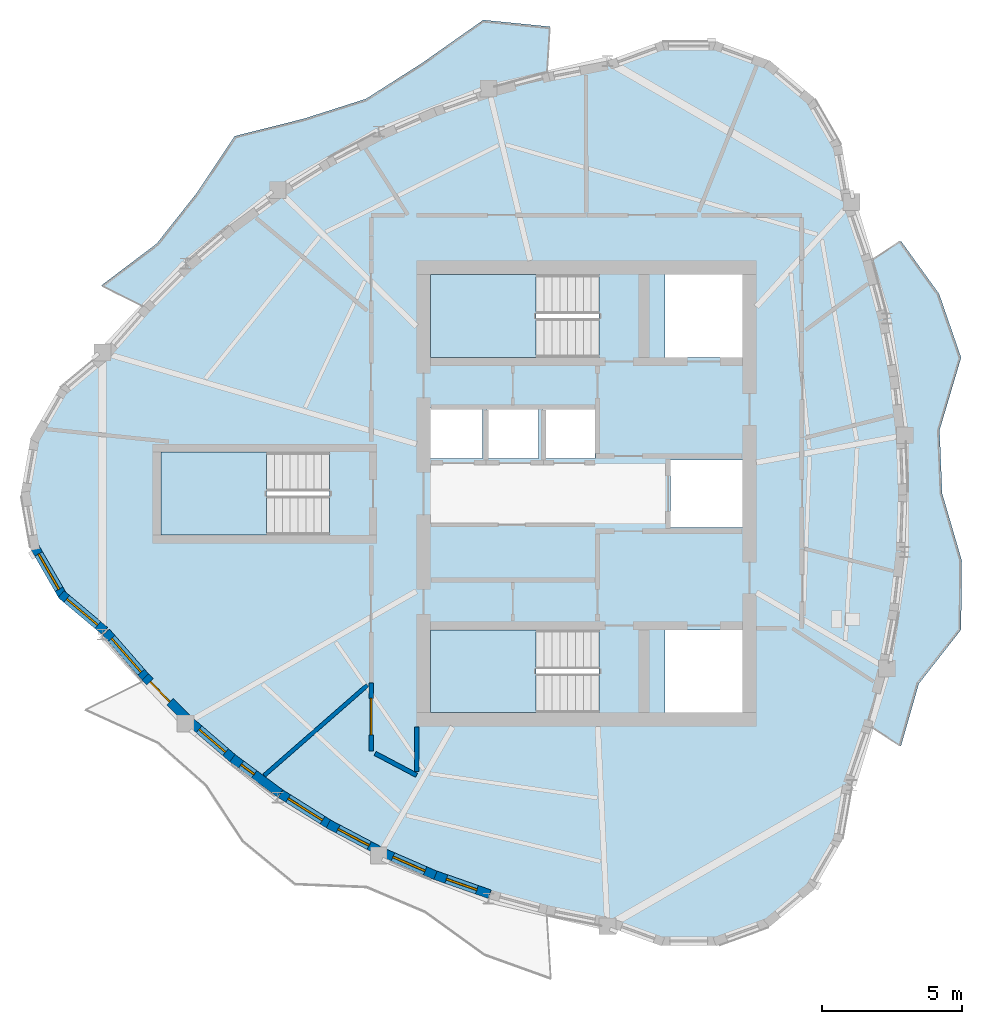
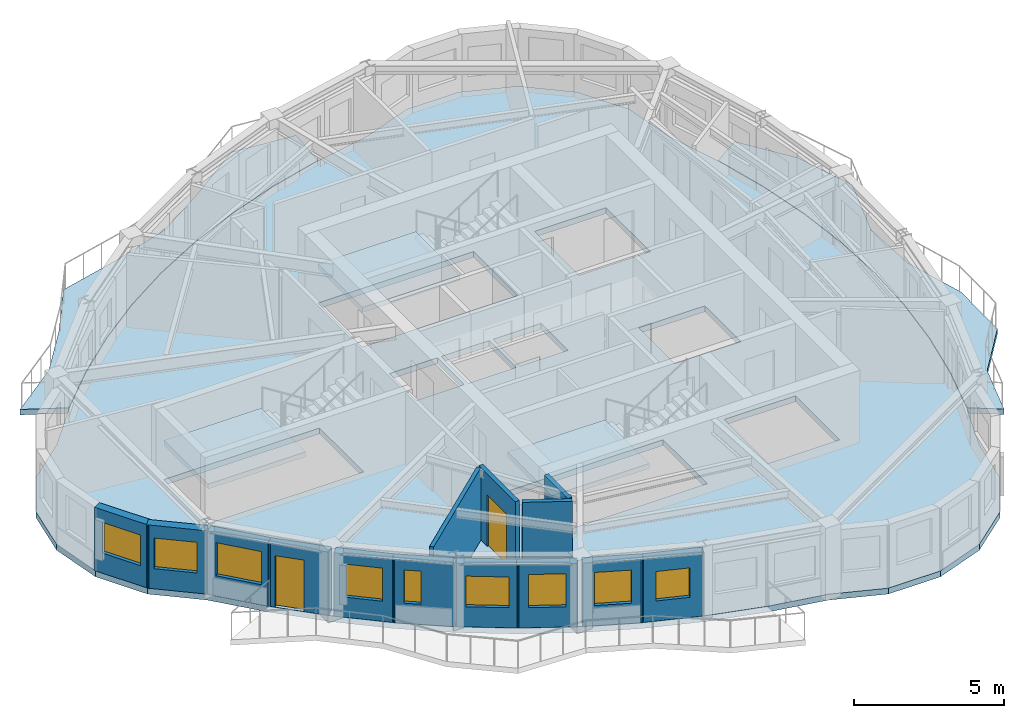
# One storey, part 2 of 11: 14 walls, 9 windows, 6 slabs, 2 doors, 11 openings, 3 elements without a shape of their own.
"""IFC4 building model written with IfcOpenShell, lengths in metres."""

from ifc_helpers import new_model, si_unit, direction, frame, frame_2d, origin, place, context, subcontext, project, spatial, polyline, rectangle, outline, extrude, source, transform, mapped, material, layer, layer_set, type_object, element, fill, aggregate, save


model = new_model("IFC4")

# Units and contexts
model_context = context("Model", 3, precision=1e-05, world=origin(), true_north=direction((0.0, 1.0)))
body_context = subcontext(model_context, "Body", "Model", "MODEL_VIEW")
ifc_project = project(units=[si_unit("LENGTHUNIT", "METRE"), si_unit("AREAUNIT", "SQUARE_METRE"), si_unit("VOLUMEUNIT", "CUBIC_METRE"), si_unit("PLANEANGLEUNIT", "RADIAN"), si_unit("MASSUNIT", "GRAM", prefix="KILO")], contexts=[model_context])

# Site, building, storey
site_placement = place(None, origin())
site = spatial("IfcSite", under=ifc_project, at=site_placement, CompositionType="ELEMENT")
building_placement = place(site_placement, origin())
building = spatial("IfcBuilding", under=site, at=building_placement, Name="Qafzar Sky-Pleat Residences", CompositionType="ELEMENT")
storey_placement = place(building_placement, frame((0.0, 0.0, 240.39990234375)))
storey = spatial("IfcBuildingStorey", under=building, at=storey_placement, Name="L72", CompositionType="ELEMENT", Elevation=240.39990234375)

# Slabs
ifc_material_1 = material(Name="Concrete C40/50", Category="concrete")
ifc_layer_1 = layer(ifc_material_1, 0.219970703125)
ifc_layer_set_1 = layer_set([ifc_layer_1], Name="Concrete C40/50")
slab_type_1 = type_object("IfcSlabType", Name="SLAB-BAL-220", PredefinedType="USERDEFINED", material=ifc_layer_set_1)
slab_1_placement = place(storey_placement, frame((0.0, 0.0, -0.219970703125)))
element("IfcSlab", 1, at=slab_1_placement, inside=storey, type_object=slab_type_1, Name="L72 Pleated Stone Balcony 1", ObjectType="BALCONY", PredefinedType="USERDEFINED", context=body_context, shape_type="SweptSolid", body=[
    extrude(outline(polyline([(41.068603515625, 19.7646484375), (41.463623046875, 21.843017578125), (41.700927734375, 23.92138671875), (41.77978515625, 26.0), (41.700927734375, 28.07861328125), (41.463623046875, 30.156982421875), (41.068603515625, 32.2353515625), (40.51513671875, 34.3134765625), (41.54638671875, 34.99853515625), (42.907958984375, 33.113037109375), (43.690673828125, 30.8447265625), (42.9248046875, 28.26416015625), (43.017822265625, 26.0), (43.7158203125, 23.61572265625), (43.690673828125, 21.1552734375), (42.185791015625, 19.2314453125), (41.54638671875, 17.00146484375), (40.51513671875, 17.6865234375), (41.068603515625, 19.7646484375)])), origin(), (0.0, 0.0, 1.0), 0.219970703125),
])
slab_2_placement = place(storey_placement, frame((0.0, 0.0, -0.219970703125)))
element("IfcSlab", 2, at=slab_2_placement, inside=storey, type_object=slab_type_1, Name="L72 Pleated Stone Balcony 2", ObjectType="BALCONY", PredefinedType="USERDEFINED", context=body_context, shape_type="SweptSolid", body=[
    extrude(outline(polyline([(26.86572265625, 40.435302734375), (24.8681640625, 39.73828125), (22.94970703125, 38.904541015625), (21.110107421875, 37.93359375), (19.349609375, 36.825927734375), (17.668212890625, 35.581298828125), (16.06591796875, 34.199951171875), (14.542724609375, 32.681640625), (13.075439453125, 33.41015625), (15.04541015625, 34.901123046875), (16.467041015625, 36.6953125), (17.82763671875, 38.730712890625), (20.291015625, 39.352294921875), (22.498291015625, 40.057373046875), (24.504150390625, 41.33544921875), (26.6748046875, 42.865966796875), (29.044921875, 42.630126953125), (28.942138671875, 40.995361328125), (26.86572265625, 40.435302734375)])), origin(), (0.0, 0.0, 1.0), 0.219970703125),
])
ifc_layer_2 = layer(ifc_material_1, 0.239990234375)
ifc_layer_set_2 = layer_set([ifc_layer_2], Name="Concrete C40/50")
slab_type_2 = type_object("IfcSlabType", Name="SLAB-FLR-240", PredefinedType="FLOOR", material=ifc_layer_set_2)
slab_3_placement = place(storey_placement, frame((0.0, 0.0, -0.239990234375)))
element("IfcSlab", 3, at=slab_3_placement, inside=storey, type_object=slab_type_2, Name="L72 Structural Floor Slab", PredefinedType="FLOOR", context=body_context, shape_type="SweptSolid", body=[
    extrude(outline(polyline([(13.110107421875, 31.02294921875), (11.56689453125, 29.728271484375), (10.559814453125, 27.983642578125), (10.2099609375, 26.0), (10.559814453125, 24.016357421875), (11.56689453125, 22.271728515625), (13.110107421875, 20.97705078125), (14.553466796875, 19.323486328125), (16.07568359375, 17.806884765625), (17.677001953125, 16.4267578125), (19.35693359375, 15.183349609375), (21.1162109375, 14.07666015625), (22.9541015625, 13.106689453125), (24.870849609375, 12.273193359375), (26.86669921875, 11.57666015625), (28.94140625, 11.0166015625), (31.094970703125, 10.593505859375), (32.98779296875, 9.904541015625), (35.002197265625, 9.904541015625), (36.89501953125, 10.593505859375), (38.43798828125, 11.88818359375), (39.4453125, 13.632568359375), (39.794921875, 15.616455078125), (40.505126953125, 17.693115234375), (41.0576171875, 19.769775390625), (41.4521484375, 21.846435546875), (41.68896484375, 23.92333984375), (41.767822265625, 26.0), (41.68896484375, 28.07666015625), (41.4521484375, 30.153564453125), (41.0576171875, 32.230224609375), (40.505126953125, 34.306884765625), (39.794921875, 36.383544921875), (39.4453125, 38.367431640625), (38.43798828125, 40.11181640625), (36.89501953125, 41.406494140625), (35.002197265625, 42.095458984375), (32.98779296875, 42.095458984375), (31.094970703125, 41.406494140625), (28.94140625, 40.9833984375), (26.86669921875, 40.42333984375), (24.870849609375, 39.726806640625), (22.9541015625, 38.893310546875), (21.1162109375, 37.92333984375), (19.35693359375, 36.816650390625), (17.677001953125, 35.5732421875), (16.07568359375, 34.193115234375), (14.553466796875, 32.676513671875), (13.110107421875, 31.02294921875)]), holes=[polyline([(30.797119140625, 21.14990234375), (24.800048828125, 21.14990234375), (24.800048828125, 18.199951171875), (30.797119140625, 18.199951171875), (30.797119140625, 21.14990234375)]), polyline([(30.797119140625, 33.800048828125), (24.800048828125, 33.800048828125), (24.800048828125, 30.85009765625), (30.797119140625, 30.85009765625), (30.797119140625, 33.800048828125)]), polyline([(21.197021484375, 27.47509765625), (15.199951171875, 27.47509765625), (15.199951171875, 24.52490234375), (21.197021484375, 24.52490234375), (21.197021484375, 27.47509765625)]), polyline([(24.800048828125, 27.25), (26.64990234375, 27.25), (26.64990234375, 29.050048828125), (24.800048828125, 29.050048828125), (24.800048828125, 27.25)]), polyline([(26.800048828125, 27.25), (28.64990234375, 27.25), (28.64990234375, 29.050048828125), (26.800048828125, 29.050048828125), (26.800048828125, 27.25)]), polyline([(28.800048828125, 27.25), (30.64990234375, 27.25), (30.64990234375, 29.050048828125), (28.800048828125, 29.050048828125), (28.800048828125, 27.25)]), polyline([(33.14990234375, 18.199951171875), (35.89990234375, 18.199951171875), (35.89990234375, 21.14990234375), (33.14990234375, 21.14990234375), (33.14990234375, 18.199951171875)]), polyline([(33.14990234375, 30.85009765625), (35.89990234375, 30.85009765625), (35.89990234375, 33.800048828125), (33.14990234375, 33.800048828125), (33.14990234375, 30.85009765625)]), polyline([(33.35009765625, 24.800048828125), (35.89990234375, 24.800048828125), (35.89990234375, 27.199951171875), (33.35009765625, 27.199951171875), (33.35009765625, 24.800048828125)])]), origin(), (0.0, 0.0, 1.0), 0.239990234375),
])

# Stair, slab
stair_type = type_object("IfcStairType", Name="STAIR-H320", PredefinedType="HALF_TURN_STAIR", material=ifc_material_1)
stair_1_placement = place(storey_placement, origin())
stair_1 = element("IfcStair", 4, at=stair_1_placement, inside=storey, type_object=stair_type, Name="L72 Protected Exit Stair ST1", PredefinedType="HALF_TURN_STAIR")
ifc_layer_3 = layer(ifc_material_1, 0.199951171875)
ifc_layer_set_3 = layer_set([ifc_layer_3], Name="Concrete C40/50")
slab_type_3 = type_object("IfcSlabType", Name="SLAB-LANDING-200", PredefinedType="LANDING", material=ifc_layer_set_3)
slab_4_placement = place(storey_placement, frame((0.0, 0.0, 1.400146484375)))
slab_4 = element("IfcSlab", 5, at=slab_4_placement, type_object=slab_type_3, Name="ST1 landing 1", PredefinedType="LANDING", context=body_context, shape_type="SweptSolid", body=[
    extrude(outline(polyline([(28.56005859375, 21.14990234375), (24.800048828125, 21.14990234375), (24.800048828125, 18.199951171875), (28.56005859375, 18.199951171875), (28.56005859375, 21.14990234375)])), origin(), (0.0, 0.0, 1.0), 0.199951171875),
])
aggregate(stair_1, [slab_4])

stair_2_placement = place(storey_placement, origin())
stair_2 = element("IfcStair", 6, at=stair_2_placement, inside=storey, type_object=stair_type, Name="L72 Protected Exit Stair ST2", PredefinedType="HALF_TURN_STAIR")
slab_5_placement = place(storey_placement, frame((0.0, 0.0, 1.400146484375)))
slab_5 = element("IfcSlab", 7, at=slab_5_placement, type_object=slab_type_3, Name="ST2 landing 1", PredefinedType="LANDING", context=body_context, shape_type="SweptSolid", body=[
    extrude(outline(polyline([(28.56005859375, 33.800048828125), (24.800048828125, 33.800048828125), (24.800048828125, 30.85009765625), (28.56005859375, 30.85009765625), (28.56005859375, 33.800048828125)])), origin(), (0.0, 0.0, 1.0), 0.199951171875),
])
aggregate(stair_2, [slab_5])

stair_3_placement = place(storey_placement, origin())
stair_3 = element("IfcStair", 8, at=stair_3_placement, inside=storey, type_object=stair_type, Name="L72 Protected Exit Stair ST3", PredefinedType="HALF_TURN_STAIR")
slab_6_placement = place(storey_placement, frame((0.0, 0.0, 1.400146484375)))
slab_6 = element("IfcSlab", 9, at=slab_6_placement, type_object=slab_type_3, Name="ST3 landing 1", PredefinedType="LANDING", context=body_context, shape_type="SweptSolid", body=[
    extrude(outline(polyline([(18.9599609375, 27.47509765625), (15.199951171875, 27.47509765625), (15.199951171875, 24.52490234375), (18.9599609375, 24.52490234375), (18.9599609375, 27.47509765625)])), origin(), (0.0, 0.0, 1.0), 0.199951171875),
])
aggregate(stair_3, [slab_6])

# Wall, opening, door
ifc_material_2 = material(Name="Acoustic gypsum plasterboard partition", Category="gypsum")
ifc_layer_4 = layer(ifc_material_2, 0.159912109375)
ifc_layer_set_4 = layer_set([ifc_layer_4], Name="Acoustic gypsum plasterboard partition")
wall_type_1 = type_object("IfcWallType", Name="PART-COR-160", PredefinedType="PARTITIONING", material=ifc_layer_set_4)
wall_1_placement = place(storey_placement, frame((22.679931640625, 19.256103515625, 0.0), z_axis=(0.0, 0.0, 1.0), x_axis=(0.0, -1.0, 0.0)))
wall_1 = element("IfcWall", 10, at=wall_1_placement, inside=storey, type_object=wall_type_1, Name="L72 Partition Wall PART-L72-PW-009", PredefinedType="PARTITIONING", context=body_context, shape_type="SweptSolid", body=[
    extrude(rectangle(XDim=2.43017578125, YDim=0.159912109375, at=frame_2d((1.215087890625, 0.0))), origin(), (0.0, 0.0, 1.0), 2.960205078125),
])
opening_1_placement = place(wall_1_placement, frame((0.547607421875, 0.0, 0.0)))
opening_1 = element("IfcOpeningElement", 11, at=opening_1_placement, cuts=wall_1, Name="Opening ID-05", PredefinedType="OPENING", context=body_context, shape_type="SweptSolid", body=[
    extrude(rectangle(XDim=1.300048828125, YDim=2.10009765625, at=frame_2d((0.64990234375, 1.050048828125))), frame((0.0, 0.08984375, 0.0), z_axis=(0.0, -1.0, 0.0), x_axis=(1.0, 0.0, 0.0)), (0.0, 0.0, 1.0), 0.179931640625),
])
ifc_material_3 = material(Name="Timber-faced fire door", Category="wood")
door_type_1 = type_object("IfcDoorType", Name="DR-LNG-1300", OperationType="DOUBLE_DOOR_SINGLE_SWING", PredefinedType="DOOR", material=ifc_material_3)
shared_shape_1 = source(origin(), body_context, "Body", "SweptSolid", [
    extrude(rectangle(XDim=1.300048828125, YDim=2.10009765625, at=frame_2d((0.64990234375, 1.050048828125))), frame((0.0, 0.02490234375, 0.0), z_axis=(0.0, -1.0, 0.0), x_axis=(1.0, 0.0, 0.0)), (0.0, 0.0, 1.0), 0.050048828125),
])
door_1_placement = place(opening_1_placement, origin())
door_1 = element("IfcDoor", 12, at=door_1_placement, inside=storey, type_object=door_type_1, Name="L72 Academic Seminar Room Door", OperationType="DOUBLE_DOOR_SINGLE_SWING", OverallHeight=2.10009765625, OverallWidth=1.300048828125, PredefinedType="DOOR", context=body_context, shape_type="MappedRepresentation", body=[
    mapped(shared_shape_1, transform((0.0, 0.0, 0.0), x_axis=(1.0, 0.0, 0.0), y_axis=(0.0, 1.0, 0.0), z_axis=(0.0, 0.0, 1.0), scale=1.0)),
])
fill(opening_1, door_1)

# Walls
wall_2_placement = place(storey_placement, frame((22.8212890625, 16.749267578125, 0.0), z_axis=(0.0, 0.0, 1.0), x_axis=(0.884429955183, -0.466672962979, 0.0)))
element("IfcWall", 13, at=wall_2_placement, inside=storey, type_object=wall_type_1, Name="L72 Partition Wall PART-L72-PW-022", PredefinedType="PARTITIONING", context=body_context, shape_type="SweptSolid", body=[
    extrude(rectangle(XDim=1.671875, YDim=0.159912109375, at=frame_2d((0.8359375, 0.0))), origin(), (0.0, 0.0, 1.0), 2.960205078125),
])
wall_3_placement = place(storey_placement, frame((24.300048828125, 16.109619140625, 0.0), z_axis=(0.0, 0.0, 1.0), x_axis=(0.0, 1.0, 0.0)))
element("IfcWall", 14, at=wall_3_placement, inside=storey, type_object=wall_type_1, Name="L72 Partition Wall PART-L72-PW-023", PredefinedType="PARTITIONING", context=body_context, shape_type="SweptSolid", body=[
    extrude(rectangle(XDim=1.582275390625, YDim=0.159912109375, at=frame_2d((0.791015625, 0.0))), origin(), (0.0, 0.0, 1.0), 2.960205078125),
])
ifc_layer_5 = layer(ifc_material_2, 0.14501953125)
ifc_layer_set_5 = layer_set([ifc_layer_5], Name="Acoustic gypsum plasterboard partition")
wall_type_2 = type_object("IfcWallType", Name="PART-UNIT-145", PredefinedType="PARTITIONING", material=ifc_layer_set_5)
wall_4_placement = place(storey_placement, frame((18.87744140625, 15.96533203125, 0.0), z_axis=(0.0, 0.0, 1.0), x_axis=(0.752716311779, 0.65834501136, 0.0)))
element("IfcWall", 15, at=wall_4_placement, inside=storey, type_object=wall_type_2, Name="L72 Partition Wall PART-L72-PW-013", PredefinedType="PARTITIONING", context=body_context, shape_type="SweptSolid", body=[
    extrude(rectangle(XDim=4.8740234375, YDim=0.14501953125, at=frame_2d((2.43701171875, 0.0))), origin(), (0.0, 0.0, 1.0), 2.960205078125),
])

# Wall, opening, window
ifc_material_4 = material(Name="Precast concrete C40/50 with honed Riyadh limestone", Category="concrete")
ifc_layer_6 = layer(ifc_material_4, 0.320068359375)
ifc_layer_set_6 = layer_set([ifc_layer_6], Name="Precast concrete C40/50 with honed Riyadh limestone")
wall_type_3 = type_object("IfcWallType", Name="WALL-EXT-320", PredefinedType="SOLIDWALL", material=ifc_layer_set_6)
wall_5_placement = place(storey_placement, frame((10.679443359375, 24.129150390625, 0.0), z_axis=(0.0, 0.0, 1.0), x_axis=(0.499995423472, -0.866028046028, 0.0)))
wall_5 = element("IfcWall", 16, at=wall_5_placement, inside=storey, type_object=wall_type_3, Name="L72 Limestone Facade Wall 5", PredefinedType="SOLIDWALL", context=body_context, shape_type="SweptSolid", body=[
    extrude(rectangle(XDim=2.09033203125, YDim=0.320068359375, at=frame_2d((1.045166015625, 0.0))), origin(), (0.0, 0.0, 1.0), 2.580078125),
])
opening_2_placement = place(wall_5_placement, frame((0.3203125, 0.0, 0.820068359375)))
opening_2 = element("IfcOpeningElement", 17, at=opening_2_placement, cuts=wall_5, Name="Opening WN-15", PredefinedType="OPENING", context=body_context, shape_type="SweptSolid", body=[
    extrude(rectangle(XDim=1.449951171875, YDim=1.25, at=frame_2d((0.72509765625, 0.625))), frame((0.0, 0.169921875, 0.0), z_axis=(0.0, -1.0, 0.0), x_axis=(1.0, 0.0, 0.0)), (0.0, 0.0, 1.0), 0.340087890625),
])
ifc_material_5 = material(Name="Solar-control low-E glass in bronze aluminium frame", Category="glass")
window_type_1 = type_object("IfcWindowType", Name="WIN-15", PartitioningType="SINGLE_PANEL", PredefinedType="WINDOW", material=ifc_material_5)
shared_shape_2 = source(origin(), body_context, "Body", "SweptSolid", [
    extrude(rectangle(XDim=1.449951171875, YDim=1.25, at=frame_2d((0.72509765625, 0.625))), frame((0.0, 0.030029296875, 0.0), z_axis=(0.0, -1.0, 0.0), x_axis=(1.0, 0.0, 0.0)), (0.0, 0.0, 1.0), 0.06005859375),
])
window_1_placement = place(opening_2_placement, origin())
window_1 = element("IfcWindow", 18, at=window_1_placement, inside=storey, type_object=window_type_1, Name="L72 Punched Facade Window 05", OverallHeight=1.25, OverallWidth=1.449951171875, PartitioningType="SINGLE_PANEL", PredefinedType="WINDOW", context=body_context, shape_type="MappedRepresentation", body=[
    mapped(shared_shape_2, transform((0.0, 0.0, 0.0), x_axis=(1.0, 0.0, 0.0), y_axis=(0.0, 1.0, 0.0), z_axis=(0.0, 0.0, 1.0), scale=1.0)),
])
fill(opening_2, window_1)

wall_6_placement = place(storey_placement, frame((11.640625, 22.418701171875, 0.0), z_axis=(0.0, 0.0, 1.0), x_axis=(0.766099948115, -0.642721455608, 0.0)))
wall_6 = element("IfcWall", 19, at=wall_6_placement, inside=storey, type_object=wall_type_3, Name="L72 Limestone Facade Wall 6", PredefinedType="SOLIDWALL", context=body_context, shape_type="SweptSolid", body=[
    extrude(rectangle(XDim=2.0322265625, YDim=0.320068359375, at=frame_2d((1.01611328125, 0.0))), origin(), (0.0, 0.0, 1.0), 2.580078125),
])
opening_3_placement = place(wall_6_placement, frame((0.26123046875, 0.0, 0.820068359375)))
opening_3 = element("IfcOpeningElement", 20, at=opening_3_placement, cuts=wall_6, Name="Opening WN-15", PredefinedType="OPENING", context=body_context, shape_type="SweptSolid", body=[
    extrude(rectangle(XDim=1.449951171875, YDim=1.25, at=frame_2d((0.72509765625, 0.625))), frame((0.0, 0.169921875, 0.0), z_axis=(0.0, -1.0, 0.0), x_axis=(1.0, 0.0, 0.0)), (0.0, 0.0, 1.0), 0.340087890625),
])
window_2_placement = place(opening_3_placement, origin())
window_2 = element("IfcWindow", 21, at=window_2_placement, inside=storey, type_object=window_type_1, Name="L72 Punched Facade Window 06", OverallHeight=1.25, OverallWidth=1.449951171875, PartitioningType="SINGLE_PANEL", PredefinedType="WINDOW", context=body_context, shape_type="MappedRepresentation", body=[
    mapped(shared_shape_2, transform((0.0, 0.0, 0.0), x_axis=(1.0, 0.0, 0.0), y_axis=(0.0, 1.0, 0.0), z_axis=(0.0, 0.0, 1.0), scale=1.0)),
])
fill(opening_3, window_2)

wall_7_placement = place(storey_placement, frame((13.24365234375, 21.0673828125, 0.0), z_axis=(0.0, 0.0, 1.0), x_axis=(0.657605974143, -0.753362052914, 0.0)))
wall_7 = element("IfcWall", 22, at=wall_7_placement, inside=storey, type_object=wall_type_3, Name="L72 Limestone Facade Wall 7", PredefinedType="SOLIDWALL", context=body_context, shape_type="SweptSolid", body=[
    extrude(rectangle(XDim=2.213134765625, YDim=0.320068359375, at=frame_2d((1.1064453125, 0.0))), origin(), (0.0, 0.0, 1.0), 2.580078125),
])
opening_4_placement = place(wall_7_placement, frame((0.29638671875, 0.0, 0.820068359375)))
opening_4 = element("IfcOpeningElement", 23, at=opening_4_placement, cuts=wall_7, Name="Opening WN-09", PredefinedType="OPENING", context=body_context, shape_type="SweptSolid", body=[
    extrude(rectangle(XDim=1.60009765625, YDim=1.35009765625, at=frame_2d((0.800048828125, 0.675048828125))), frame((0.0, 0.169921875, 0.0), z_axis=(0.0, -1.0, 0.0), x_axis=(1.0, 0.0, 0.0)), (0.0, 0.0, 1.0), 0.340087890625),
])
window_type_2 = type_object("IfcWindowType", Name="WIN-09", PartitioningType="DOUBLE_PANEL_VERTICAL", PredefinedType="WINDOW", material=ifc_material_5)
shared_shape_3 = source(origin(), body_context, "Body", "SweptSolid", [
    extrude(rectangle(XDim=1.60009765625, YDim=1.35009765625, at=frame_2d((0.800048828125, 0.675048828125))), frame((0.0, 0.030029296875, 0.0), z_axis=(0.0, -1.0, 0.0), x_axis=(1.0, 0.0, 0.0)), (0.0, 0.0, 1.0), 0.06005859375),
])
window_3_placement = place(opening_4_placement, origin())
window_3 = element("IfcWindow", 24, at=window_3_placement, inside=storey, type_object=window_type_2, Name="L72 Punched Facade Window 07", OverallHeight=1.35009765625, OverallWidth=1.60009765625, PartitioningType="SINGLE_PANEL", PredefinedType="WINDOW", context=body_context, shape_type="MappedRepresentation", body=[
    mapped(shared_shape_3, transform((0.0, 0.0, 0.0), x_axis=(1.0, 0.0, 0.0), y_axis=(0.0, 1.0, 0.0), z_axis=(0.0, 0.0, 1.0), scale=1.0)),
])
fill(opening_4, window_3)

# Wall, opening, door
wall_8_placement = place(storey_placement, frame((14.639404296875, 19.4638671875, 0.0), z_axis=(0.0, 0.0, 1.0), x_axis=(0.708386188287, -0.705825054985, 0.0)))
wall_8 = element("IfcWall", 25, at=wall_8_placement, inside=storey, type_object=wall_type_3, Name="L72 Limestone Facade Wall 8", PredefinedType="SOLIDWALL", context=body_context, shape_type="SweptSolid", body=[
    extrude(rectangle(XDim=2.09716796875, YDim=0.320068359375, at=frame_2d((1.048583984375, 0.0))), origin(), (0.0, 0.0, 1.0), 2.580078125),
])
opening_5_placement = place(wall_8_placement, frame((0.239990234375, 0.0, 0.0)))
opening_5 = element("IfcOpeningElement", 26, at=opening_5_placement, cuts=wall_8, Name="Opening ED-05", PredefinedType="OPENING", context=body_context, shape_type="SweptSolid", body=[
    extrude(rectangle(XDim=1.0, YDim=2.10009765625, at=frame_2d((0.5, 1.050048828125))), frame((0.0, 0.169921875, 0.0), z_axis=(0.0, -1.0, 0.0), x_axis=(1.0, 0.0, 0.0)), (0.0, 0.0, 1.0), 0.340087890625),
])
ifc_material_6 = material(Name="Glazed bronze aluminium door", Category="aluminium")
door_type_2 = type_object("IfcDoorType", Name="DR-BAL-1000", OperationType="NOTDEFINED", PredefinedType="DOOR", material=ifc_material_6)
shared_shape_4 = source(origin(), body_context, "Body", "SweptSolid", [
    extrude(rectangle(XDim=1.0, YDim=2.10009765625, at=frame_2d((0.5, 1.050048828125))), frame((0.0, 0.02490234375, 0.0), z_axis=(0.0, -1.0, 0.0), x_axis=(1.0, 0.0, 0.0)), (0.0, 0.0, 1.0), 0.050048828125),
])
door_2_placement = place(opening_5_placement, origin())
door_2 = element("IfcDoor", 27, at=door_2_placement, inside=storey, type_object=door_type_2, Name="L72 Glazed Balcony Door 3", OperationType="SINGLE_SWING_LEFT", OverallHeight=2.10009765625, OverallWidth=1.0, PredefinedType="DOOR", context=body_context, shape_type="MappedRepresentation", body=[
    mapped(shared_shape_4, transform((0.0, 0.0, 0.0), x_axis=(1.0, 0.0, 0.0), y_axis=(0.0, 1.0, 0.0), z_axis=(0.0, 0.0, 1.0), scale=1.0)),
])
fill(opening_5, door_2)

# Wall, opening, window
wall_9_placement = place(storey_placement, frame((16.248291015625, 17.869140625, 0.0), z_axis=(0.0, 0.0, 1.0), x_axis=(0.757506883098, -0.652827176257, 0.0)))
wall_9 = element("IfcWall", 28, at=wall_9_placement, inside=storey, type_object=wall_type_3, Name="L72 Limestone Facade Wall 9", PredefinedType="SOLIDWALL", context=body_context, shape_type="SweptSolid", body=[
    extrude(rectangle(XDim=2.061767578125, YDim=0.320068359375, at=frame_2d((1.03076171875, 0.0))), origin(), (0.0, 0.0, 1.0), 2.580078125),
])
opening_6_placement = place(wall_9_placement, frame((0.40087890625, 0.0, 0.820068359375)))
opening_6 = element("IfcOpeningElement", 29, at=opening_6_placement, cuts=wall_9, Name="Opening WN-11", PredefinedType="OPENING", context=body_context, shape_type="SweptSolid", body=[
    extrude(rectangle(XDim=1.25, YDim=1.35009765625, at=frame_2d((0.625, 0.675048828125))), frame((0.0, 0.169921875, 0.0), z_axis=(0.0, -1.0, 0.0), x_axis=(1.0, 0.0, 0.0)), (0.0, 0.0, 1.0), 0.340087890625),
])
window_type_3 = type_object("IfcWindowType", Name="WIN-11", PartitioningType="SINGLE_PANEL", PredefinedType="WINDOW", material=ifc_material_5)
shared_shape_5 = source(origin(), body_context, "Body", "SweptSolid", [
    extrude(rectangle(XDim=1.25, YDim=1.35009765625, at=frame_2d((0.625, 0.675048828125))), frame((0.0, 0.030029296875, 0.0), z_axis=(0.0, -1.0, 0.0), x_axis=(1.0, 0.0, 0.0)), (0.0, 0.0, 1.0), 0.06005859375),
])
window_4_placement = place(opening_6_placement, origin())
window_4 = element("IfcWindow", 30, at=window_4_placement, inside=storey, type_object=window_type_3, Name="L72 Punched Facade Window 09", OverallHeight=1.35009765625, OverallWidth=1.25, PartitioningType="SINGLE_PANEL", PredefinedType="WINDOW", context=body_context, shape_type="MappedRepresentation", body=[
    mapped(shared_shape_5, transform((0.0, 0.0, 0.0), x_axis=(1.0, 0.0, 0.0), y_axis=(0.0, 1.0, 0.0), z_axis=(0.0, 0.0, 1.0), scale=1.0)),
])
fill(opening_6, window_4)

wall_10_placement = place(storey_placement, frame((17.741455078125, 16.577880859375, 0.0), z_axis=(0.0, 0.0, 1.0), x_axis=(0.803860727082, -0.594817561489, 0.0)))
wall_10 = element("IfcWall", 31, at=wall_10_placement, inside=storey, type_object=wall_type_3, Name="L72 Limestone Facade Wall 10", PredefinedType="SOLIDWALL", context=body_context, shape_type="SweptSolid", body=[
    extrude(rectangle(XDim=2.108154296875, YDim=0.320068359375, at=frame_2d((1.05419921875, 0.0))), origin(), (0.0, 0.0, 1.0), 2.580078125),
])
opening_7_placement = place(wall_10_placement, frame((0.38525390625, 0.0, 0.820068359375)))
opening_7 = element("IfcOpeningElement", 32, at=opening_7_placement, cuts=wall_10, Name="Opening WN-17", PredefinedType="OPENING", context=body_context, shape_type="SweptSolid", body=[
    extrude(rectangle(XDim=0.580078125, YDim=1.35009765625, at=frame_2d((0.2900390625, 0.675048828125))), frame((0.0, 0.169921875, 0.0), z_axis=(0.0, -1.0, 0.0), x_axis=(1.0, 0.0, 0.0)), (0.0, 0.0, 1.0), 0.340087890625),
])
window_type_4 = type_object("IfcWindowType", Name="WIN-17", PartitioningType="SINGLE_PANEL", PredefinedType="WINDOW", material=ifc_material_5)
shared_shape_6 = source(origin(), body_context, "Body", "SweptSolid", [
    extrude(rectangle(XDim=0.580078125, YDim=1.35009765625, at=frame_2d((0.2900390625, 0.675048828125))), frame((0.0, 0.030029296875, 0.0), z_axis=(0.0, -1.0, 0.0), x_axis=(1.0, 0.0, 0.0)), (0.0, 0.0, 1.0), 0.06005859375),
])
window_5_placement = place(opening_7_placement, origin())
window_5 = element("IfcWindow", 33, at=window_5_placement, inside=storey, type_object=window_type_4, Name="L72 Punched Facade Window 10", OverallHeight=1.35009765625, OverallWidth=0.580078125, PartitioningType="SINGLE_PANEL", PredefinedType="WINDOW", context=body_context, shape_type="MappedRepresentation", body=[
    mapped(shared_shape_6, transform((0.0, 0.0, 0.0), x_axis=(1.0, 0.0, 0.0), y_axis=(0.0, 1.0, 0.0), z_axis=(0.0, 0.0, 1.0), scale=1.0)),
])
fill(opening_7, window_5)

wall_11_placement = place(storey_placement, frame((19.458984375, 15.30810546875, 0.0), z_axis=(0.0, 0.0, 1.0), x_axis=(0.846450593439, -0.532467269291, 0.0)))
wall_11 = element("IfcWall", 34, at=wall_11_placement, inside=storey, type_object=wall_type_3, Name="L72 Limestone Facade Wall 11", PredefinedType="SOLIDWALL", context=body_context, shape_type="SweptSolid", body=[
    extrude(rectangle(XDim=2.09619140625, YDim=0.320068359375, at=frame_2d((1.048095703125, 0.0))), origin(), (0.0, 0.0, 1.0), 2.580078125),
])
opening_8_placement = place(wall_11_placement, frame((0.31298828125, 0.0, 0.820068359375)))
opening_8 = element("IfcOpeningElement", 35, at=opening_8_placement, cuts=wall_11, Name="Opening WN-15", PredefinedType="OPENING", context=body_context, shape_type="SweptSolid", body=[
    extrude(rectangle(XDim=1.449951171875, YDim=1.25, at=frame_2d((0.72509765625, 0.625))), frame((0.0, 0.169921875, 0.0), z_axis=(0.0, -1.0, 0.0), x_axis=(1.0, 0.0, 0.0)), (0.0, 0.0, 1.0), 0.340087890625),
])
window_6_placement = place(opening_8_placement, origin())
window_6 = element("IfcWindow", 36, at=window_6_placement, inside=storey, type_object=window_type_1, Name="L72 Punched Facade Window 11", OverallHeight=1.25, OverallWidth=1.449951171875, PartitioningType="SINGLE_PANEL", PredefinedType="WINDOW", context=body_context, shape_type="MappedRepresentation", body=[
    mapped(shared_shape_2, transform((0.0, 0.0, 0.0), x_axis=(1.0, 0.0, 0.0), y_axis=(0.0, 1.0, 0.0), z_axis=(0.0, 0.0, 1.0), scale=1.0)),
])
fill(opening_8, window_6)

wall_12_placement = place(storey_placement, frame((21.1572265625, 14.23583984375, 0.0), z_axis=(0.0, 0.0, 1.0), x_axis=(0.884379226496, -0.466769090388, 0.0)))
wall_12 = element("IfcWall", 37, at=wall_12_placement, inside=storey, type_object=wall_type_3, Name="L72 Limestone Facade Wall 12", PredefinedType="SOLIDWALL", context=body_context, shape_type="SweptSolid", body=[
    extrude(rectangle(XDim=2.0263671875, YDim=0.320068359375, at=frame_2d((1.01318359375, 0.0))), origin(), (0.0, 0.0, 1.0), 2.580078125),
])
opening_9_placement = place(wall_12_placement, frame((0.39306640625, 0.0, 0.820068359375)))
opening_9 = element("IfcOpeningElement", 38, at=opening_9_placement, cuts=wall_12, Name="Opening WN-11", PredefinedType="OPENING", context=body_context, shape_type="SweptSolid", body=[
    extrude(rectangle(XDim=1.25, YDim=1.35009765625, at=frame_2d((0.625, 0.675048828125))), frame((0.0, 0.169921875, 0.0), z_axis=(0.0, -1.0, 0.0), x_axis=(1.0, 0.0, 0.0)), (0.0, 0.0, 1.0), 0.340087890625),
])
window_7_placement = place(opening_9_placement, origin())
window_7 = element("IfcWindow", 39, at=window_7_placement, inside=storey, type_object=window_type_3, Name="L72 Punched Facade Window 12", OverallHeight=1.35009765625, OverallWidth=1.25, PartitioningType="SINGLE_PANEL", PredefinedType="WINDOW", context=body_context, shape_type="MappedRepresentation", body=[
    mapped(shared_shape_5, transform((0.0, 0.0, 0.0), x_axis=(1.0, 0.0, 0.0), y_axis=(0.0, 1.0, 0.0), z_axis=(0.0, 0.0, 1.0), scale=1.0)),
])
fill(opening_9, window_7)

wall_13_placement = place(storey_placement, frame((23.100341796875, 13.217529296875, 0.0), z_axis=(0.0, 0.0, 1.0), x_axis=(0.917056725387, -0.398756771005, 0.0)))
wall_13 = element("IfcWall", 40, at=wall_13_placement, inside=storey, type_object=wall_type_3, Name="L72 Limestone Facade Wall 13", PredefinedType="SOLIDWALL", context=body_context, shape_type="SweptSolid", body=[
    extrude(rectangle(XDim=2.0380859375, YDim=0.320068359375, at=frame_2d((1.01904296875, 0.0))), origin(), (0.0, 0.0, 1.0), 2.580078125),
])
opening_10_placement = place(wall_13_placement, frame((0.38916015625, 0.0, 0.820068359375)))
opening_10 = element("IfcOpeningElement", 41, at=opening_10_placement, cuts=wall_13, Name="Opening WN-11", PredefinedType="OPENING", context=body_context, shape_type="SweptSolid", body=[
    extrude(rectangle(XDim=1.25, YDim=1.35009765625, at=frame_2d((0.625, 0.675048828125))), frame((0.0, 0.169921875, 0.0), z_axis=(0.0, -1.0, 0.0), x_axis=(1.0, 0.0, 0.0)), (0.0, 0.0, 1.0), 0.340087890625),
])
window_8_placement = place(opening_10_placement, origin())
window_8 = element("IfcWindow", 42, at=window_8_placement, inside=storey, type_object=window_type_3, Name="L72 Punched Facade Window 13", OverallHeight=1.35009765625, OverallWidth=1.25, PartitioningType="SINGLE_PANEL", PredefinedType="WINDOW", context=body_context, shape_type="MappedRepresentation", body=[
    mapped(shared_shape_5, transform((0.0, 0.0, 0.0), x_axis=(1.0, 0.0, 0.0), y_axis=(0.0, 1.0, 0.0), z_axis=(0.0, 0.0, 1.0), scale=1.0)),
])
fill(opening_10, window_8)

wall_14_placement = place(storey_placement, frame((24.8876953125, 12.43701171875, 0.0), z_axis=(0.0, 0.0, 1.0), x_axis=(0.944134736434, -0.329559705453, 0.0)))
wall_14 = element("IfcWall", 43, at=wall_14_placement, inside=storey, type_object=wall_type_3, Name="L72 Limestone Facade Wall 14", PredefinedType="SOLIDWALL", context=body_context, shape_type="SweptSolid", body=[
    extrude(rectangle(XDim=2.132080078125, YDim=0.320068359375, at=frame_2d((1.06591796875, 0.0))), origin(), (0.0, 0.0, 1.0), 2.580078125),
])
opening_11_placement = place(wall_14_placement, frame((0.5009765625, 0.0, 0.820068359375)))
opening_11 = element("IfcOpeningElement", 44, at=opening_11_placement, cuts=wall_14, Name="Opening WN-16", PredefinedType="OPENING", context=body_context, shape_type="SweptSolid", body=[
    extrude(rectangle(XDim=1.14990234375, YDim=1.199951171875, at=frame_2d((0.574951171875, 0.60009765625))), frame((0.0, 0.169921875, 0.0), z_axis=(0.0, -1.0, 0.0), x_axis=(1.0, 0.0, 0.0)), (0.0, 0.0, 1.0), 0.340087890625),
])
window_type_5 = type_object("IfcWindowType", Name="WIN-16", PartitioningType="SINGLE_PANEL", PredefinedType="WINDOW", material=ifc_material_5)
shared_shape_7 = source(origin(), body_context, "Body", "SweptSolid", [
    extrude(rectangle(XDim=1.14990234375, YDim=1.199951171875, at=frame_2d((0.574951171875, 0.60009765625))), frame((0.0, 0.030029296875, 0.0), z_axis=(0.0, -1.0, 0.0), x_axis=(1.0, 0.0, 0.0)), (0.0, 0.0, 1.0), 0.06005859375),
])
window_9_placement = place(opening_11_placement, origin())
window_9 = element("IfcWindow", 45, at=window_9_placement, inside=storey, type_object=window_type_5, Name="L72 Punched Facade Window 14", OverallHeight=1.199951171875, OverallWidth=1.14990234375, PartitioningType="SINGLE_PANEL", PredefinedType="WINDOW", context=body_context, shape_type="MappedRepresentation", body=[
    mapped(shared_shape_7, transform((0.0, 0.0, 0.0), x_axis=(1.0, 0.0, 0.0), y_axis=(0.0, 1.0, 0.0), z_axis=(0.0, 0.0, 1.0), scale=1.0)),
])
fill(opening_11, window_9)

save(model, "model.ifc")
